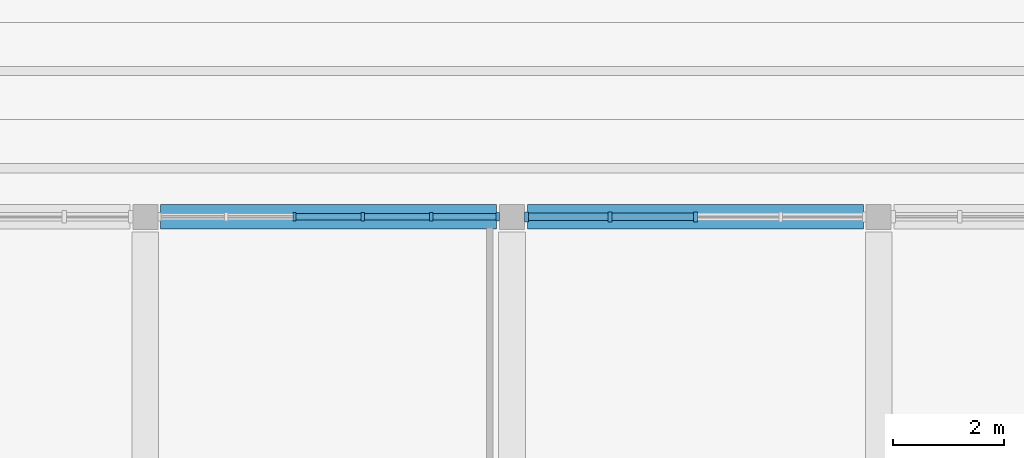
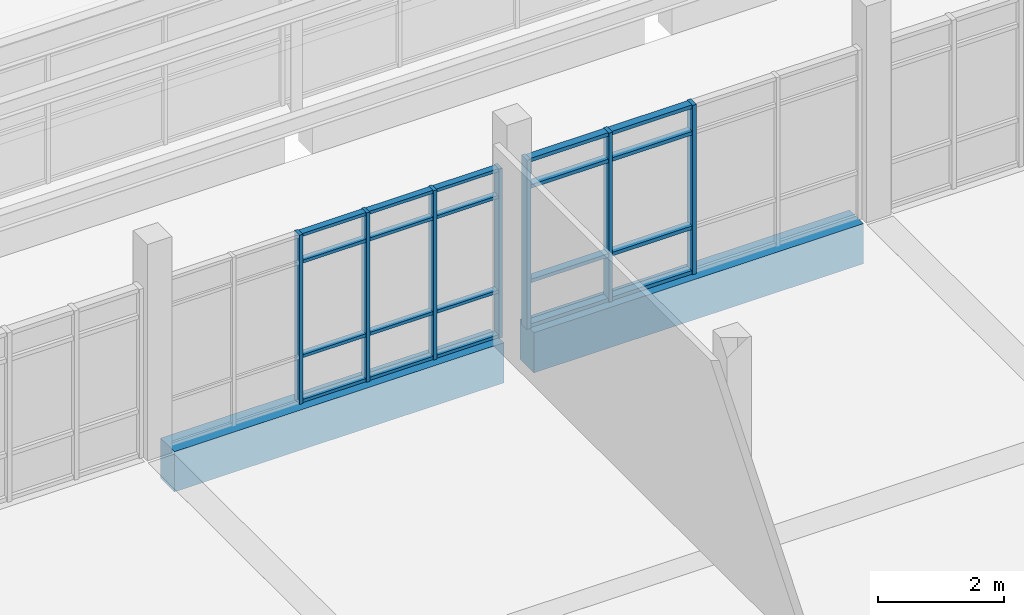
# One storey, part 18 of 92: 27 members, 2 beams, 2 elements without a shape of their own.
"""IFC4 building model written with IfcOpenShell, lengths in metres."""

from ifc_helpers import new_model, si_unit, direction, frame, origin, origin_2d, place, context, subcontext, project, spatial, rectangle, extrude, material, material_profile, profile_set, type_object, element, aggregate, save


model = new_model("IFC4")

# Units and contexts
model_context = context("Model", 3, precision=1e-05, world=origin(), true_north=direction((0.0, 1.0)))
body_context = subcontext(model_context, "Body", "Model", "MODEL_VIEW")
ifc_project = project(units=[si_unit("LENGTHUNIT", "METRE"), si_unit("AREAUNIT", "SQUARE_METRE"), si_unit("VOLUMEUNIT", "CUBIC_METRE"), si_unit("PLANEANGLEUNIT", "RADIAN"), si_unit("MASSUNIT", "GRAM", prefix="KILO")], contexts=[model_context])

# Site, building, storey
site_placement = place(None, origin())
site = spatial("IfcSite", under=ifc_project, at=site_placement, CompositionType="ELEMENT")
building_placement = place(site_placement, origin())
building = spatial("IfcBuilding", under=site, at=building_placement, Name="Ciguamira Faculty of Natural Sciences", CompositionType="ELEMENT")
storey_placement = place(building_placement, frame((0.0, 0.0, 16.800048828125)))
storey = spatial("IfcBuildingStorey", under=building, at=storey_placement, Name="L04", CompositionType="ELEMENT", Elevation=16.800048828125)

# Curtain wall, members
ifc_material_1 = material(Name="Anodized aluminium curtain wall", Category="aluminium")
curtain_wall_type_1 = type_object("IfcCurtainWallType", Name="CurtainWall_CW-10", PredefinedType="USERDEFINED", material=ifc_material_1)
curtain_wall_1_placement = place(storey_placement, origin())
curtain_wall_1 = element("IfcCurtainWall", 1, at=curtain_wall_1_placement, inside=storey, type_object=curtain_wall_type_1, Name="L04 unitised curtain wall 0118", ObjectType="UNITISED CURTAIN WALL", PredefinedType="USERDEFINED")
ifc_material_2 = material(Name="Anodized aluminium mullion", Category="aluminium")
ifc_material_profile_1 = material_profile(ifc_material_2, rectangle(XDim=0.06005859375, YDim=0.159912109375, at=origin_2d()), Name="ALU-MUL-60X160")
ifc_profile_set_1 = profile_set([ifc_material_profile_1], Name="Anodized aluminium mullion")
member_type_1 = type_object("IfcMemberType", Name="CWMullion_CWM-01", PredefinedType="MULLION", material=ifc_profile_set_1)
member_1_placement = place(storey_placement, frame((92.985107421875, 38.0, 0.0), z_axis=(0.0, 0.0, 1.0), x_axis=(1.0, 0.0, 0.0)))
member_1 = element("IfcMember", 2, at=member_1_placement, type_object=member_type_1, Name="CW-10 mullion 3", PredefinedType="MULLION", context=body_context, shape_type="SweptSolid", body=[
    extrude(rectangle(XDim=0.06005859375, YDim=0.159912109375, at=origin_2d()), origin(), (0.0, 0.0, 1.0), 3.284912109375),
])
member_2_placement = place(storey_placement, frame((94.215087890625, 38.0, 0.0), z_axis=(0.0, 0.0, 1.0), x_axis=(1.0, 0.0, 0.0)))
member_2 = element("IfcMember", 3, at=member_2_placement, type_object=member_type_1, Name="CW-10 mullion 4", PredefinedType="MULLION", context=body_context, shape_type="SweptSolid", body=[
    extrude(rectangle(XDim=0.06005859375, YDim=0.159912109375, at=origin_2d()), origin(), (0.0, 0.0, 1.0), 3.284912109375),
])
member_3_placement = place(storey_placement, frame((95.445068359375, 38.0, 0.0), z_axis=(0.0, 0.0, 1.0), x_axis=(1.0, 0.0, 0.0)))
member_3 = element("IfcMember", 4, at=member_3_placement, type_object=member_type_1, Name="CW-10 mullion 5", PredefinedType="MULLION", context=body_context, shape_type="SweptSolid", body=[
    extrude(rectangle(XDim=0.06005859375, YDim=0.159912109375, at=origin_2d()), origin(), (0.0, 0.0, 1.0), 3.284912109375),
])
member_4_placement = place(storey_placement, frame((96.64501953125, 38.0, 0.0), z_axis=(0.0, 0.0, 1.0), x_axis=(1.0, 0.0, 0.0)))
member_4 = element("IfcMember", 5, at=member_4_placement, type_object=member_type_1, Name="CW-10 mullion 6", PredefinedType="MULLION", context=body_context, shape_type="SweptSolid", body=[
    extrude(rectangle(XDim=0.06005859375, YDim=0.159912109375, at=origin_2d()), origin(), (0.0, 0.0, 1.0), 3.284912109375),
])

curtain_wall_type_2 = type_object("IfcCurtainWallType", Name="CurtainWall_CW-11", PredefinedType="USERDEFINED", material=ifc_material_1)
curtain_wall_2_placement = place(storey_placement, origin())
curtain_wall_2 = element("IfcCurtainWall", 6, at=curtain_wall_2_placement, inside=storey, type_object=curtain_wall_type_2, Name="L04 unitised curtain wall 0119", ObjectType="UNITISED CURTAIN WALL", PredefinedType="USERDEFINED")
ifc_material_profile_2 = material_profile(ifc_material_2, rectangle(XDim=0.070068359375, YDim=0.179931640625, at=origin_2d()), Name="ALU-MUL-70X180")
ifc_profile_set_2 = profile_set([ifc_material_profile_2], Name="Anodized aluminium mullion")
member_type_2 = type_object("IfcMemberType", Name="CWMullion_CWM-02", PredefinedType="MULLION", material=ifc_profile_set_2)
member_5_placement = place(storey_placement, frame((97.159912109375, 38.0, 0.0), z_axis=(0.0, 0.0, 1.0), x_axis=(1.0, 0.0, 0.0)))
member_5 = element("IfcMember", 7, at=member_5_placement, type_object=member_type_2, Name="CW-11 mullion 1", PredefinedType="MULLION", context=body_context, shape_type="SweptSolid", body=[
    extrude(rectangle(XDim=0.070068359375, YDim=0.179931640625, at=origin_2d()), origin(), (0.0, 0.0, 1.0), 3.284912109375),
])
member_6_placement = place(storey_placement, frame((98.66259765625, 38.0, 0.0), z_axis=(0.0, 0.0, 1.0), x_axis=(1.0, 0.0, 0.0)))
member_6 = element("IfcMember", 8, at=member_6_placement, type_object=member_type_2, Name="CW-11 mullion 2", PredefinedType="MULLION", context=body_context, shape_type="SweptSolid", body=[
    extrude(rectangle(XDim=0.070068359375, YDim=0.179931640625, at=origin_2d()), origin(), (0.0, 0.0, 1.0), 3.284912109375),
])
member_7_placement = place(storey_placement, frame((100.199951171875, 38.0, 0.0), z_axis=(0.0, 0.0, 1.0), x_axis=(1.0, 0.0, 0.0)))
member_7 = element("IfcMember", 9, at=member_7_placement, type_object=member_type_2, Name="CW-11 mullion 3", PredefinedType="MULLION", context=body_context, shape_type="SweptSolid", body=[
    extrude(rectangle(XDim=0.070068359375, YDim=0.179931640625, at=origin_2d()), origin(), (0.0, 0.0, 1.0), 3.284912109375),
])

# Member
ifc_material_3 = material(Name="Anodized aluminium transom", Category="aluminium")
ifc_material_profile_3 = material_profile(ifc_material_3, rectangle(XDim=0.06005859375, YDim=0.1201171875, at=origin_2d()), Name="ALU-TRN-60X120")
ifc_profile_set_3 = profile_set([ifc_material_profile_3], Name="Anodized aluminium transom")
member_type_3 = type_object("IfcMemberType", Name="CWTransom_CWT-01", PredefinedType="USERDEFINED", material=ifc_profile_set_3)
member_8_placement = place(storey_placement, frame((93.014892578125, 38.0, 0.030029296875), z_axis=(1.0, 0.0, 0.0), x_axis=(0.0, 0.0, 1.0)))
member_8 = element("IfcMember", 10, at=member_8_placement, type_object=member_type_3, Name="CW-10 transom 3.1", ObjectType="TRANSOM", PredefinedType="USERDEFINED", context=body_context, shape_type="SweptSolid", body=[
    extrude(rectangle(XDim=0.06005859375, YDim=0.1201171875, at=origin_2d()), origin(), (0.0, 0.0, 1.0), 1.170166015625),
])

member_9_placement = place(storey_placement, frame((93.014892578125, 38.0, 0.89990234375), z_axis=(1.0, 0.0, 0.0), x_axis=(0.0, 0.0, 1.0)))
member_9 = element("IfcMember", 11, at=member_9_placement, type_object=member_type_3, Name="CW-10 transom 3.2", ObjectType="TRANSOM", PredefinedType="USERDEFINED", context=body_context, shape_type="SweptSolid", body=[
    extrude(rectangle(XDim=0.06005859375, YDim=0.1201171875, at=origin_2d()), origin(), (0.0, 0.0, 1.0), 1.170166015625),
])

member_10_placement = place(storey_placement, frame((93.014892578125, 38.0, 2.73486328125), z_axis=(1.0, 0.0, 0.0), x_axis=(0.0, 0.0, 1.0)))
member_10 = element("IfcMember", 12, at=member_10_placement, type_object=member_type_3, Name="CW-10 transom 3.3", ObjectType="TRANSOM", PredefinedType="USERDEFINED", context=body_context, shape_type="SweptSolid", body=[
    extrude(rectangle(XDim=0.06005859375, YDim=0.1201171875, at=origin_2d()), origin(), (0.0, 0.0, 1.0), 1.170166015625),
])

member_11_placement = place(storey_placement, frame((93.014892578125, 38.0, 3.2548828125), z_axis=(1.0, 0.0, 0.0), x_axis=(0.0, 0.0, 1.0)))
member_11 = element("IfcMember", 13, at=member_11_placement, type_object=member_type_3, Name="CW-10 transom 3.4", ObjectType="TRANSOM", PredefinedType="USERDEFINED", context=body_context, shape_type="SweptSolid", body=[
    extrude(rectangle(XDim=0.06005859375, YDim=0.1201171875, at=origin_2d()), origin(), (0.0, 0.0, 1.0), 1.170166015625),
])

member_12_placement = place(storey_placement, frame((94.2451171875, 38.0, 0.030029296875), z_axis=(1.0, 0.0, 0.0), x_axis=(0.0, 0.0, 1.0)))
member_12 = element("IfcMember", 14, at=member_12_placement, type_object=member_type_3, Name="CW-10 transom 4.1", ObjectType="TRANSOM", PredefinedType="USERDEFINED", context=body_context, shape_type="SweptSolid", body=[
    extrude(rectangle(XDim=0.06005859375, YDim=0.1201171875, at=origin_2d()), origin(), (0.0, 0.0, 1.0), 1.169921875),
])

member_13_placement = place(storey_placement, frame((94.2451171875, 38.0, 0.89990234375), z_axis=(1.0, 0.0, 0.0), x_axis=(0.0, 0.0, 1.0)))
member_13 = element("IfcMember", 15, at=member_13_placement, type_object=member_type_3, Name="CW-10 transom 4.2", ObjectType="TRANSOM", PredefinedType="USERDEFINED", context=body_context, shape_type="SweptSolid", body=[
    extrude(rectangle(XDim=0.06005859375, YDim=0.1201171875, at=origin_2d()), origin(), (0.0, 0.0, 1.0), 1.169921875),
])

member_14_placement = place(storey_placement, frame((94.2451171875, 38.0, 2.73486328125), z_axis=(1.0, 0.0, 0.0), x_axis=(0.0, 0.0, 1.0)))
member_14 = element("IfcMember", 16, at=member_14_placement, type_object=member_type_3, Name="CW-10 transom 4.3", ObjectType="TRANSOM", PredefinedType="USERDEFINED", context=body_context, shape_type="SweptSolid", body=[
    extrude(rectangle(XDim=0.06005859375, YDim=0.1201171875, at=origin_2d()), origin(), (0.0, 0.0, 1.0), 1.169921875),
])

member_15_placement = place(storey_placement, frame((94.2451171875, 38.0, 3.2548828125), z_axis=(1.0, 0.0, 0.0), x_axis=(0.0, 0.0, 1.0)))
member_15 = element("IfcMember", 17, at=member_15_placement, type_object=member_type_3, Name="CW-10 transom 4.4", ObjectType="TRANSOM", PredefinedType="USERDEFINED", context=body_context, shape_type="SweptSolid", body=[
    extrude(rectangle(XDim=0.06005859375, YDim=0.1201171875, at=origin_2d()), origin(), (0.0, 0.0, 1.0), 1.169921875),
])

member_16_placement = place(storey_placement, frame((95.47509765625, 38.0, 0.030029296875), z_axis=(1.0, 0.0, 0.0), x_axis=(0.0, 0.0, 1.0)))
member_16 = element("IfcMember", 18, at=member_16_placement, type_object=member_type_3, Name="CW-10 transom 5.1", ObjectType="TRANSOM", PredefinedType="USERDEFINED", context=body_context, shape_type="SweptSolid", body=[
    extrude(rectangle(XDim=0.06005859375, YDim=0.1201171875, at=origin_2d()), origin(), (0.0, 0.0, 1.0), 1.139892578125),
])

member_17_placement = place(storey_placement, frame((95.47509765625, 38.0, 0.89990234375), z_axis=(1.0, 0.0, 0.0), x_axis=(0.0, 0.0, 1.0)))
member_17 = element("IfcMember", 19, at=member_17_placement, type_object=member_type_3, Name="CW-10 transom 5.2", ObjectType="TRANSOM", PredefinedType="USERDEFINED", context=body_context, shape_type="SweptSolid", body=[
    extrude(rectangle(XDim=0.06005859375, YDim=0.1201171875, at=origin_2d()), origin(), (0.0, 0.0, 1.0), 1.139892578125),
])

member_18_placement = place(storey_placement, frame((95.47509765625, 38.0, 2.73486328125), z_axis=(1.0, 0.0, 0.0), x_axis=(0.0, 0.0, 1.0)))
member_18 = element("IfcMember", 20, at=member_18_placement, type_object=member_type_3, Name="CW-10 transom 5.3", ObjectType="TRANSOM", PredefinedType="USERDEFINED", context=body_context, shape_type="SweptSolid", body=[
    extrude(rectangle(XDim=0.06005859375, YDim=0.1201171875, at=origin_2d()), origin(), (0.0, 0.0, 1.0), 1.139892578125),
])

member_19_placement = place(storey_placement, frame((95.47509765625, 38.0, 3.2548828125), z_axis=(1.0, 0.0, 0.0), x_axis=(0.0, 0.0, 1.0)))
member_19 = element("IfcMember", 21, at=member_19_placement, type_object=member_type_3, Name="CW-10 transom 5.4", ObjectType="TRANSOM", PredefinedType="USERDEFINED", context=body_context, shape_type="SweptSolid", body=[
    extrude(rectangle(XDim=0.06005859375, YDim=0.1201171875, at=origin_2d()), origin(), (0.0, 0.0, 1.0), 1.139892578125),
])

aggregate(curtain_wall_1, [member_1, member_2, member_3, member_4, member_8, member_9, member_10, member_11, member_12, member_13, member_14, member_15, member_16, member_17, member_18, member_19])

ifc_material_profile_4 = material_profile(ifc_material_3, rectangle(XDim=0.070068359375, YDim=0.139892578125, at=origin_2d()), Name="ALU-TRN-70X140")
ifc_profile_set_4 = profile_set([ifc_material_profile_4], Name="Anodized aluminium transom")
member_type_4 = type_object("IfcMemberType", Name="CWTransom_CWT-02", PredefinedType="USERDEFINED", material=ifc_profile_set_4)
member_20_placement = place(storey_placement, frame((97.195068359375, 38.0, 0.034912109375), z_axis=(1.0, 0.0, 0.0), x_axis=(0.0, 0.0, 1.0)))
member_20 = element("IfcMember", 22, at=member_20_placement, type_object=member_type_4, Name="CW-11 transom 1.1", ObjectType="TRANSOM", PredefinedType="USERDEFINED", context=body_context, shape_type="SweptSolid", body=[
    extrude(rectangle(XDim=0.070068359375, YDim=0.139892578125, at=origin_2d()), origin(), (0.0, 0.0, 1.0), 1.432373046875),
])

member_21_placement = place(storey_placement, frame((97.195068359375, 38.0, 0.89990234375), z_axis=(1.0, 0.0, 0.0), x_axis=(0.0, 0.0, 1.0)))
member_21 = element("IfcMember", 23, at=member_21_placement, type_object=member_type_4, Name="CW-11 transom 1.2", ObjectType="TRANSOM", PredefinedType="USERDEFINED", context=body_context, shape_type="SweptSolid", body=[
    extrude(rectangle(XDim=0.070068359375, YDim=0.139892578125, at=origin_2d()), origin(), (0.0, 0.0, 1.0), 1.432373046875),
])

member_22_placement = place(storey_placement, frame((97.195068359375, 38.0, 2.73486328125), z_axis=(1.0, 0.0, 0.0), x_axis=(0.0, 0.0, 1.0)))
member_22 = element("IfcMember", 24, at=member_22_placement, type_object=member_type_4, Name="CW-11 transom 1.3", ObjectType="TRANSOM", PredefinedType="USERDEFINED", context=body_context, shape_type="SweptSolid", body=[
    extrude(rectangle(XDim=0.070068359375, YDim=0.139892578125, at=origin_2d()), origin(), (0.0, 0.0, 1.0), 1.432373046875),
])

member_23_placement = place(storey_placement, frame((97.195068359375, 38.0, 3.25), z_axis=(1.0, 0.0, 0.0), x_axis=(0.0, 0.0, 1.0)))
member_23 = element("IfcMember", 25, at=member_23_placement, type_object=member_type_4, Name="CW-11 transom 1.4", ObjectType="TRANSOM", PredefinedType="USERDEFINED", context=body_context, shape_type="SweptSolid", body=[
    extrude(rectangle(XDim=0.070068359375, YDim=0.139892578125, at=origin_2d()), origin(), (0.0, 0.0, 1.0), 1.432373046875),
])

member_24_placement = place(storey_placement, frame((98.697509765625, 38.0, 0.034912109375), z_axis=(1.0, 0.0, 0.0), x_axis=(0.0, 0.0, 1.0)))
member_24 = element("IfcMember", 26, at=member_24_placement, type_object=member_type_4, Name="CW-11 transom 2.1", ObjectType="TRANSOM", PredefinedType="USERDEFINED", context=body_context, shape_type="SweptSolid", body=[
    extrude(rectangle(XDim=0.070068359375, YDim=0.139892578125, at=origin_2d()), origin(), (0.0, 0.0, 1.0), 1.467529296875),
])

member_25_placement = place(storey_placement, frame((98.697509765625, 38.0, 0.89990234375), z_axis=(1.0, 0.0, 0.0), x_axis=(0.0, 0.0, 1.0)))
member_25 = element("IfcMember", 27, at=member_25_placement, type_object=member_type_4, Name="CW-11 transom 2.2", ObjectType="TRANSOM", PredefinedType="USERDEFINED", context=body_context, shape_type="SweptSolid", body=[
    extrude(rectangle(XDim=0.070068359375, YDim=0.139892578125, at=origin_2d()), origin(), (0.0, 0.0, 1.0), 1.467529296875),
])

member_26_placement = place(storey_placement, frame((98.697509765625, 38.0, 2.73486328125), z_axis=(1.0, 0.0, 0.0), x_axis=(0.0, 0.0, 1.0)))
member_26 = element("IfcMember", 28, at=member_26_placement, type_object=member_type_4, Name="CW-11 transom 2.3", ObjectType="TRANSOM", PredefinedType="USERDEFINED", context=body_context, shape_type="SweptSolid", body=[
    extrude(rectangle(XDim=0.070068359375, YDim=0.139892578125, at=origin_2d()), origin(), (0.0, 0.0, 1.0), 1.467529296875),
])

member_27_placement = place(storey_placement, frame((98.697509765625, 38.0, 3.25), z_axis=(1.0, 0.0, 0.0), x_axis=(0.0, 0.0, 1.0)))
member_27 = element("IfcMember", 29, at=member_27_placement, type_object=member_type_4, Name="CW-11 transom 2.4", ObjectType="TRANSOM", PredefinedType="USERDEFINED", context=body_context, shape_type="SweptSolid", body=[
    extrude(rectangle(XDim=0.070068359375, YDim=0.139892578125, at=origin_2d()), origin(), (0.0, 0.0, 1.0), 1.467529296875),
])

aggregate(curtain_wall_2, [member_5, member_6, member_7, member_20, member_21, member_22, member_23, member_24, member_25, member_26, member_27])

# Beams
ifc_material_4 = material(Name="Concrete C40/50", Category="concrete")
ifc_material_profile_5 = material_profile(ifc_material_4, rectangle(XDim=0.43994140625, YDim=0.780029296875, at=origin_2d()), Name="RC-BM-440X780")
ifc_profile_set_5 = profile_set([ifc_material_profile_5], Name="Concrete C40/50")
beam_type = type_object("IfcBeamType", Name="RCBeam_BG-06_RC-BM-440X780", PredefinedType="BEAM", material=ifc_profile_set_5)
for number, where, z_axis, x_axis, name in (
    (30, (90.574951171875, 38.0, -0.39013671875), (1.0, 0.0, 0.0), (0.0, 1.0, 0.0), "V4 north-light wave 1 RC valley beam VAL-1-5"),
    (31, (97.175048828125, 38.0, -0.39013671875), (1.0, 0.0, 0.0), (0.0, 1.0, 0.0), "V4 north-light wave 1 RC valley beam VAL-1-6"),
):
    element("IfcBeam", number, at=place(storey_placement, frame(where, z_axis=z_axis, x_axis=x_axis)), inside=storey, type_object=beam_type, Name=name, PredefinedType="BEAM", context=body_context, shape_type="SweptSolid", body=[
        extrude(rectangle(XDim=0.43994140625, YDim=0.780029296875, at=origin_2d()), origin(), (0.0, 0.0, 1.0), 6.050048828125),
    ])

save(model, "model.ifc")
